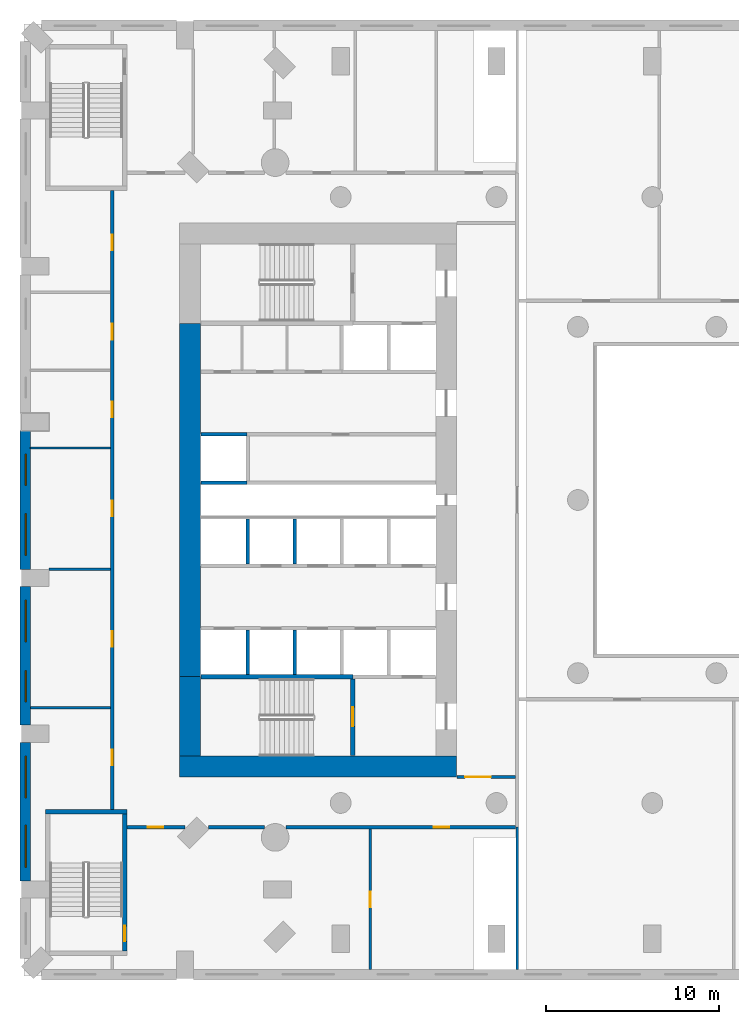
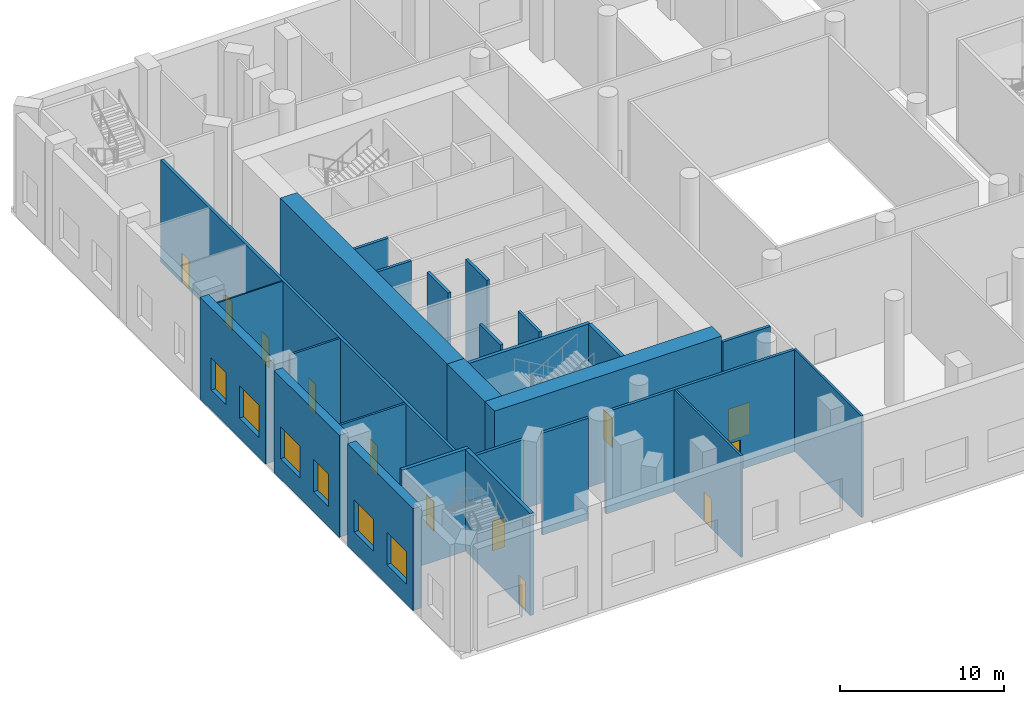
# One storey, part 3 of 18: 26 walls, 12 doors, 6 windows, 18 openings.
"""IFC4 building model written with IfcOpenShell, lengths in metres."""

from ifc_helpers import new_model, si_unit, direction, frame, frame_2d, origin, place, context, subcontext, project, spatial, rectangle, extrude, material, layer, layer_set, type_object, element, fill, save


model = new_model("IFC4")

# Units and contexts
model_context = context("Model", 3, precision=1e-05, world=origin(), true_north=direction((0.0, 1.0)))
body_context = subcontext(model_context, "Body", "Model", "MODEL_VIEW")
ifc_project = project(units=[si_unit("LENGTHUNIT", "METRE"), si_unit("AREAUNIT", "SQUARE_METRE"), si_unit("VOLUMEUNIT", "CUBIC_METRE"), si_unit("PLANEANGLEUNIT", "RADIAN"), si_unit("MASSUNIT", "GRAM", prefix="KILO")], contexts=[model_context])

# Site, building, storey
site_placement = place(None, origin())
site = spatial("IfcSite", under=ifc_project, at=site_placement, CompositionType="ELEMENT")
building_placement = place(site_placement, origin())
building = spatial("IfcBuilding", under=site, at=building_placement, Name="Cypress Arch Tower", CompositionType="ELEMENT")
storey_placement = place(building_placement, frame((0.0, 0.0, 36.0)))
storey = spatial("IfcBuildingStorey", under=building, at=storey_placement, Name="L04", CompositionType="ELEMENT", Elevation=36.0)

# Wall, openings, windows
ifc_material_1 = material(Name="Brick (red buff blend) on blockwork backing", Category="masonry")
ifc_layer_1 = layer(ifc_material_1, 0.60009765625)
ifc_layer_set_1 = layer_set([ifc_layer_1], Name="Brick base wall BW600")
wall_type_1 = type_object("IfcWallType", Name="Brick base wall BW600", PredefinedType="ELEMENTEDWALL", material=ifc_layer_set_1)
wall_1_placement = place(storey_placement, frame((-38.925048828125, 4.0, 0.0), z_axis=(0.0, 0.0, 1.0), x_axis=(0.0, -1.0, 0.0)))
wall_1 = element("IfcWall", 1, at=wall_1_placement, inside=storey, type_object=wall_type_1, Name="Brick wall L04 P04.3", PredefinedType="ELEMENTEDWALL", context=body_context, shape_type="SweptSolid", body=[
    extrude(rectangle(XDim=8.0, YDim=0.60009765625, at=frame_2d((4.0, 0.0))), origin(), (0.0, 0.0, 1.0), 7.60009765625),
])
opening_1_placement = place(wall_1_placement, frame((4.800048828125, 0.0, 1.5)))
opening_1 = element("IfcOpeningElement", 2, at=opening_1_placement, cuts=wall_1, Name="Opening W240P", PredefinedType="OPENING", context=body_context, shape_type="SweptSolid", body=[
    extrude(rectangle(XDim=2.39990234375, YDim=2.39990234375, at=frame_2d((1.199951171875, 1.199951171875))), frame((0.0, 0.31005859375, 0.0), z_axis=(0.0, -1.0, 0.0), x_axis=(1.0, 0.0, 0.0)), (0.0, 0.0, 1.0), 0.6201171875),
])
opening_2_placement = place(wall_1_placement, frame((1.35009765625, 0.0, 1.5)))
opening_2 = element("IfcOpeningElement", 3, at=opening_2_placement, cuts=wall_1, Name="Opening W180P", PredefinedType="OPENING", context=body_context, shape_type="SweptSolid", body=[
    extrude(rectangle(XDim=1.800048828125, YDim=2.39990234375, at=frame_2d((0.89990234375, 1.199951171875))), frame((0.0, 0.31005859375, 0.0), z_axis=(0.0, -1.0, 0.0), x_axis=(1.0, 0.0, 0.0)), (0.0, 0.0, 1.0), 0.6201171875),
])
ifc_material_2 = material(Name="Anodised aluminium, bronze finish, clear low-emissivity double glazing", Category="aluminium")
window_type_1 = type_object("IfcWindowType", Name="Window Podium 1800x2400", PartitioningType="SINGLE_PANEL", PredefinedType="WINDOW", material=ifc_material_2)
window_1_placement = place(opening_2_placement, origin())
window_1 = element("IfcWindow", 4, at=window_1_placement, inside=storey, type_object=window_type_1, Name="Window L04 P04.3.1", OverallHeight=2.39990234375, OverallWidth=1.800048828125, PartitioningType="SINGLE_PANEL", PredefinedType="WINDOW", context=body_context, shape_type="SweptSolid", body=[
    extrude(rectangle(XDim=1.800048828125, YDim=2.39990234375, at=frame_2d((0.89990234375, 1.199951171875))), frame((0.0, 0.06005859375, 0.0), z_axis=(0.0, -1.0, 0.0), x_axis=(1.0, 0.0, 0.0)), (0.0, 0.0, 1.0), 0.06005859375),
])
fill(opening_2, window_1)
ifc_material_3 = material(Name="Anodised aluminium, bronze finish, clear low-emissivity double glazing", Category="aluminium")
window_type_2 = type_object("IfcWindowType", Name="Window Podium 2400x2400", PartitioningType="SINGLE_PANEL", PredefinedType="WINDOW", material=ifc_material_3)
window_2_placement = place(opening_1_placement, origin())
window_2 = element("IfcWindow", 5, at=window_2_placement, inside=storey, type_object=window_type_2, Name="Window L04 P04.3.2", OverallHeight=2.39990234375, OverallWidth=2.39990234375, PartitioningType="SINGLE_PANEL", PredefinedType="WINDOW", context=body_context, shape_type="SweptSolid", body=[
    extrude(rectangle(XDim=2.39990234375, YDim=2.39990234375, at=frame_2d((1.199951171875, 1.199951171875))), frame((0.0, 0.06005859375, 0.0), z_axis=(0.0, -1.0, 0.0), x_axis=(1.0, 0.0, 0.0)), (0.0, 0.0, 1.0), 0.06005859375),
])
fill(opening_1, window_2)

wall_2_placement = place(storey_placement, frame((-38.925048828125, -5.0, 0.0), z_axis=(0.0, 0.0, 1.0), x_axis=(0.0, -1.0, 0.0)))
wall_2 = element("IfcWall", 6, at=wall_2_placement, inside=storey, type_object=wall_type_1, Name="Brick wall L04 P04.4", PredefinedType="ELEMENTEDWALL", context=body_context, shape_type="SweptSolid", body=[
    extrude(rectangle(XDim=8.0, YDim=0.60009765625, at=frame_2d((4.0, 0.0))), origin(), (0.0, 0.0, 1.0), 7.60009765625),
])
opening_3_placement = place(wall_2_placement, frame((0.800048828125, 0.0, 1.5)))
opening_3 = element("IfcOpeningElement", 7, at=opening_3_placement, cuts=wall_2, Name="Opening W240P", PredefinedType="OPENING", context=body_context, shape_type="SweptSolid", body=[
    extrude(rectangle(XDim=2.39990234375, YDim=2.39990234375, at=frame_2d((1.199951171875, 1.199951171875))), frame((0.0, 0.31005859375, 0.0), z_axis=(0.0, -1.0, 0.0), x_axis=(1.0, 0.0, 0.0)), (0.0, 0.0, 1.0), 0.6201171875),
])
opening_4_placement = place(wall_2_placement, frame((4.85009765625, 0.0, 1.5)))
opening_4 = element("IfcOpeningElement", 8, at=opening_4_placement, cuts=wall_2, Name="Opening W180P", PredefinedType="OPENING", context=body_context, shape_type="SweptSolid", body=[
    extrude(rectangle(XDim=1.800048828125, YDim=2.39990234375, at=frame_2d((0.89990234375, 1.199951171875))), frame((0.0, 0.31005859375, 0.0), z_axis=(0.0, -1.0, 0.0), x_axis=(1.0, 0.0, 0.0)), (0.0, 0.0, 1.0), 0.6201171875),
])
window_3_placement = place(opening_4_placement, origin())
window_3 = element("IfcWindow", 9, at=window_3_placement, inside=storey, type_object=window_type_1, Name="Window L04 P04.4.2", OverallHeight=2.39990234375, OverallWidth=1.800048828125, PartitioningType="SINGLE_PANEL", PredefinedType="WINDOW", context=body_context, shape_type="SweptSolid", body=[
    extrude(rectangle(XDim=1.800048828125, YDim=2.39990234375, at=frame_2d((0.89990234375, 1.199951171875))), frame((0.0, 0.06005859375, 0.0), z_axis=(0.0, -1.0, 0.0), x_axis=(1.0, 0.0, 0.0)), (0.0, 0.0, 1.0), 0.06005859375),
])
fill(opening_4, window_3)
window_4_placement = place(opening_3_placement, origin())
window_4 = element("IfcWindow", 10, at=window_4_placement, inside=storey, type_object=window_type_2, Name="Window L04 P04.4.1", OverallHeight=2.39990234375, OverallWidth=2.39990234375, PartitioningType="SINGLE_PANEL", PredefinedType="WINDOW", context=body_context, shape_type="SweptSolid", body=[
    extrude(rectangle(XDim=2.39990234375, YDim=2.39990234375, at=frame_2d((1.199951171875, 1.199951171875))), frame((0.0, 0.06005859375, 0.0), z_axis=(0.0, -1.0, 0.0), x_axis=(1.0, 0.0, 0.0)), (0.0, 0.0, 1.0), 0.06005859375),
])
fill(opening_3, window_4)

wall_3_placement = place(storey_placement, frame((-38.925048828125, -14.0, 0.0), z_axis=(0.0, 0.0, 1.0), x_axis=(0.0, -1.0, 0.0)))
wall_3 = element("IfcWall", 11, at=wall_3_placement, inside=storey, type_object=wall_type_1, Name="Brick wall L04 P04.5", PredefinedType="ELEMENTEDWALL", context=body_context, shape_type="SweptSolid", body=[
    extrude(rectangle(XDim=8.0, YDim=0.60009765625, at=frame_2d((4.0, 0.0))), origin(), (0.0, 0.0, 1.0), 7.60009765625),
])
opening_5_placement = place(wall_3_placement, frame((0.800048828125, 0.0, 1.5)))
opening_5 = element("IfcOpeningElement", 12, at=opening_5_placement, cuts=wall_3, Name="Opening W240P", PredefinedType="OPENING", context=body_context, shape_type="SweptSolid", body=[
    extrude(rectangle(XDim=2.39990234375, YDim=2.39990234375, at=frame_2d((1.199951171875, 1.199951171875))), frame((0.0, 0.31005859375, 0.0), z_axis=(0.0, -1.0, 0.0), x_axis=(1.0, 0.0, 0.0)), (0.0, 0.0, 1.0), 0.6201171875),
])
opening_6_placement = place(wall_3_placement, frame((4.800048828125, 0.0, 1.5)))
opening_6 = element("IfcOpeningElement", 13, at=opening_6_placement, cuts=wall_3, Name="Opening W240P", PredefinedType="OPENING", context=body_context, shape_type="SweptSolid", body=[
    extrude(rectangle(XDim=2.39990234375, YDim=2.39990234375, at=frame_2d((1.199951171875, 1.199951171875))), frame((0.0, 0.31005859375, 0.0), z_axis=(0.0, -1.0, 0.0), x_axis=(1.0, 0.0, 0.0)), (0.0, 0.0, 1.0), 0.6201171875),
])
window_5_placement = place(opening_5_placement, origin())
window_5 = element("IfcWindow", 14, at=window_5_placement, inside=storey, type_object=window_type_2, Name="Window L04 P04.5.1", OverallHeight=2.39990234375, OverallWidth=2.39990234375, PartitioningType="SINGLE_PANEL", PredefinedType="WINDOW", context=body_context, shape_type="SweptSolid", body=[
    extrude(rectangle(XDim=2.39990234375, YDim=2.39990234375, at=frame_2d((1.199951171875, 1.199951171875))), frame((0.0, 0.06005859375, 0.0), z_axis=(0.0, -1.0, 0.0), x_axis=(1.0, 0.0, 0.0)), (0.0, 0.0, 1.0), 0.06005859375),
])
fill(opening_5, window_5)
window_6_placement = place(opening_6_placement, origin())
window_6 = element("IfcWindow", 15, at=window_6_placement, inside=storey, type_object=window_type_2, Name="Window L04 P04.5.2", OverallHeight=2.39990234375, OverallWidth=2.39990234375, PartitioningType="SINGLE_PANEL", PredefinedType="WINDOW", context=body_context, shape_type="SweptSolid", body=[
    extrude(rectangle(XDim=2.39990234375, YDim=2.39990234375, at=frame_2d((1.199951171875, 1.199951171875))), frame((0.0, 0.06005859375, 0.0), z_axis=(0.0, -1.0, 0.0), x_axis=(1.0, 0.0, 0.0)), (0.0, 0.0, 1.0), 0.06005859375),
])
fill(opening_6, window_6)

# Walls
ifc_material_4 = material(Name="Concrete C80/95", Category="concrete")
ifc_layer_2 = layer(ifc_material_4, 1.199951171875)
ifc_layer_set_2 = layer_set([ifc_layer_2], Name="Core wall CW1200 C80/95")
wall_type_2 = type_object("IfcWallType", Name="Core wall CW1200 C80/95", PredefinedType="SHEAR", material=ifc_layer_set_2)
wall_4_placement = place(storey_placement, frame((-30.0, -15.39990234375, 0.0), z_axis=(0.0, 0.0, 1.0), x_axis=(1.0, 0.0, 0.0)))
element("IfcWall", 16, at=wall_4_placement, inside=storey, type_object=wall_type_2, Name="Core wall", PredefinedType="SHEAR", context=body_context, shape_type="SweptSolid", body=[
    extrude(rectangle(XDim=16.0, YDim=1.199951171875, at=frame_2d((8.0, 0.0))), origin(), (0.0, 0.0, 1.0), 8.0),
])
wall_5_placement = place(storey_placement, frame((-29.39990234375, -10.199951171875, 0.0), z_axis=(0.0, 0.0, 1.0), x_axis=(0.0, 1.0, 0.0)))
element("IfcWall", 17, at=wall_5_placement, inside=storey, type_object=wall_type_2, Name="Core wall", PredefinedType="SHEAR", context=body_context, shape_type="SweptSolid", body=[
    extrude(rectangle(XDim=20.39990234375, YDim=1.199951171875, at=frame_2d((10.199951171875, 0.0))), origin(), (0.0, 0.0, 1.0), 8.0),
])
wall_6_placement = place(storey_placement, frame((-29.39990234375, -14.800048828125, 0.0), z_axis=(0.0, 0.0, 1.0), x_axis=(0.0, 1.0, 0.0)))
element("IfcWall", 18, at=wall_6_placement, inside=storey, type_object=wall_type_2, Name="Core wall", PredefinedType="SHEAR", context=body_context, shape_type="SweptSolid", body=[
    extrude(rectangle(XDim=4.60009765625, YDim=1.199951171875, at=frame_2d((2.300048828125, 0.0))), origin(), (0.0, 0.0, 1.0), 8.0),
])

# Wall, openings, doors
ifc_material_5 = material(Name="Concrete blockwork, plastered, rated", Category="masonry")
ifc_layer_3 = layer(ifc_material_5, 0.199951171875)
ifc_layer_set_3 = layer_set([ifc_layer_3], Name="Corridor wall FW200")
wall_type_3 = type_object("IfcWallType", Name="Corridor wall FW200", PredefinedType="PARTITIONING", material=ifc_layer_set_3)
wall_7_placement = place(storey_placement, frame((-33.89990234375, -17.8798828125, 0.0), z_axis=(0.0, 0.0, 1.0), x_axis=(0.0, 1.0, 0.0)))
wall_7 = element("IfcWall", 19, at=wall_7_placement, inside=storey, type_object=wall_type_3, Name="Corridor wall", PredefinedType="PARTITIONING", context=body_context, shape_type="SweptSolid", body=[
    extrude(rectangle(XDim=35.759765625, YDim=0.199951171875, at=frame_2d((17.8798828125, 0.0))), origin(), (0.0, 0.0, 1.0), 7.597900390625),
])
opening_7_placement = place(wall_7_placement, frame((2.550048828125, 0.0, 0.0)))
opening_7 = element("IfcOpeningElement", 20, at=opening_7_placement, cuts=wall_7, Name="Opening D05", PredefinedType="OPENING", context=body_context, shape_type="SweptSolid", body=[
    extrude(rectangle(XDim=0.89990234375, YDim=2.199951171875, at=frame_2d((0.449951171875, 1.10009765625))), frame((0.0, 0.10986328125, 0.0), z_axis=(0.0, -1.0, 0.0), x_axis=(1.0, 0.0, 0.0)), (0.0, 0.0, 1.0), 0.219970703125),
])
opening_8_placement = place(wall_7_placement, frame((9.39990234375, 0.0, 0.0)))
opening_8 = element("IfcOpeningElement", 21, at=opening_8_placement, cuts=wall_7, Name="Opening D05", PredefinedType="OPENING", context=body_context, shape_type="SweptSolid", body=[
    extrude(rectangle(XDim=0.89990234375, YDim=2.199951171875, at=frame_2d((0.449951171875, 1.10009765625))), frame((0.0, 0.10986328125, 0.0), z_axis=(0.0, -1.0, 0.0), x_axis=(1.0, 0.0, 0.0)), (0.0, 0.0, 1.0), 0.219970703125),
])
opening_9_placement = place(wall_7_placement, frame((16.949951171875, 0.0, 0.0)))
opening_9 = element("IfcOpeningElement", 22, at=opening_9_placement, cuts=wall_7, Name="Opening D05", PredefinedType="OPENING", context=body_context, shape_type="SweptSolid", body=[
    extrude(rectangle(XDim=0.89990234375, YDim=2.199951171875, at=frame_2d((0.449951171875, 1.10009765625))), frame((0.0, 0.10986328125, 0.0), z_axis=(0.0, -1.0, 0.0), x_axis=(1.0, 0.0, 0.0)), (0.0, 0.0, 1.0), 0.219970703125),
])
opening_10_placement = place(wall_7_placement, frame((22.64990234375, 0.0, 0.0)))
opening_10 = element("IfcOpeningElement", 23, at=opening_10_placement, cuts=wall_7, Name="Opening D03", PredefinedType="OPENING", context=body_context, shape_type="SweptSolid", body=[
    extrude(rectangle(XDim=0.89990234375, YDim=2.199951171875, at=frame_2d((0.449951171875, 1.10009765625))), frame((0.0, 0.10986328125, 0.0), z_axis=(0.0, -1.0, 0.0), x_axis=(1.0, 0.0, 0.0)), (0.0, 0.0, 1.0), 0.219970703125),
])
opening_11_placement = place(wall_7_placement, frame((27.14990234375, 0.0, 0.0)))
opening_11 = element("IfcOpeningElement", 24, at=opening_11_placement, cuts=wall_7, Name="Opening D05", PredefinedType="OPENING", context=body_context, shape_type="SweptSolid", body=[
    extrude(rectangle(XDim=0.89990234375, YDim=2.199951171875, at=frame_2d((0.449951171875, 1.10009765625))), frame((0.0, 0.10986328125, 0.0), z_axis=(0.0, -1.0, 0.0), x_axis=(1.0, 0.0, 0.0)), (0.0, 0.0, 1.0), 0.219970703125),
])
opening_12_placement = place(wall_7_placement, frame((32.300048828125, 0.0, 0.0)))
opening_12 = element("IfcOpeningElement", 25, at=opening_12_placement, cuts=wall_7, Name="Opening D05", PredefinedType="OPENING", context=body_context, shape_type="SweptSolid", body=[
    extrude(rectangle(XDim=0.89990234375, YDim=2.199951171875, at=frame_2d((0.449951171875, 1.10009765625))), frame((0.0, 0.10986328125, 0.0), z_axis=(0.0, -1.0, 0.0), x_axis=(1.0, 0.0, 0.0)), (0.0, 0.0, 1.0), 0.219970703125),
])
ifc_material_6 = material(Name="Timber flush door, moisture resistant", Category="wood")
door_type_1 = type_object("IfcDoorType", Name="Bathroom door D03 900x2200", OperationType="SINGLE_SWING_LEFT", PredefinedType="DOOR", material=ifc_material_6)
door_1_placement = place(opening_10_placement, origin())
door_1 = element("IfcDoor", 26, at=door_1_placement, inside=storey, type_object=door_type_1, Name="Bathroom door", OperationType="SINGLE_SWING_LEFT", OverallHeight=2.199951171875, OverallWidth=0.89990234375, PredefinedType="DOOR", context=body_context, shape_type="SweptSolid", body=[
    extrude(rectangle(XDim=0.89990234375, YDim=2.199951171875, at=frame_2d((0.449951171875, 1.10009765625))), frame((0.0, 0.02490234375, 0.0), z_axis=(0.0, -1.0, 0.0), x_axis=(1.0, 0.0, 0.0)), (0.0, 0.0, 1.0), 0.050048828125),
])
fill(opening_10, door_1)
ifc_material_7 = material(Name="Timber flush door", Category="wood")
door_type_2 = type_object("IfcDoorType", Name="Service door D05 900x2200", OperationType="SINGLE_SWING_LEFT", PredefinedType="DOOR", material=ifc_material_7)
door_2_placement = place(opening_7_placement, origin())
door_2 = element("IfcDoor", 27, at=door_2_placement, inside=storey, type_object=door_type_2, Name="Service door", OperationType="SINGLE_SWING_RIGHT", OverallHeight=2.199951171875, OverallWidth=0.89990234375, PredefinedType="DOOR", context=body_context, shape_type="SweptSolid", body=[
    extrude(rectangle(XDim=0.89990234375, YDim=2.199951171875, at=frame_2d((0.449951171875, 1.10009765625))), frame((0.0, 0.02490234375, 0.0), z_axis=(0.0, -1.0, 0.0), x_axis=(1.0, 0.0, 0.0)), (0.0, 0.0, 1.0), 0.050048828125),
])
fill(opening_7, door_2)
door_3_placement = place(opening_8_placement, origin())
door_3 = element("IfcDoor", 28, at=door_3_placement, inside=storey, type_object=door_type_2, Name="Service door", OperationType="SINGLE_SWING_LEFT", OverallHeight=2.199951171875, OverallWidth=0.89990234375, PredefinedType="DOOR", context=body_context, shape_type="SweptSolid", body=[
    extrude(rectangle(XDim=0.89990234375, YDim=2.199951171875, at=frame_2d((0.449951171875, 1.10009765625))), frame((0.0, 0.02490234375, 0.0), z_axis=(0.0, -1.0, 0.0), x_axis=(1.0, 0.0, 0.0)), (0.0, 0.0, 1.0), 0.050048828125),
])
fill(opening_8, door_3)
door_4_placement = place(opening_9_placement, origin())
door_4 = element("IfcDoor", 29, at=door_4_placement, inside=storey, type_object=door_type_2, Name="Service door", OperationType="SINGLE_SWING_RIGHT", OverallHeight=2.199951171875, OverallWidth=0.89990234375, PredefinedType="DOOR", context=body_context, shape_type="SweptSolid", body=[
    extrude(rectangle(XDim=0.89990234375, YDim=2.199951171875, at=frame_2d((0.449951171875, 1.10009765625))), frame((0.0, 0.02490234375, 0.0), z_axis=(0.0, -1.0, 0.0), x_axis=(1.0, 0.0, 0.0)), (0.0, 0.0, 1.0), 0.050048828125),
])
fill(opening_9, door_4)
door_5_placement = place(opening_11_placement, origin())
door_5 = element("IfcDoor", 30, at=door_5_placement, inside=storey, type_object=door_type_2, Name="Service door", OperationType="SINGLE_SWING_LEFT", OverallHeight=2.199951171875, OverallWidth=0.89990234375, PredefinedType="DOOR", context=body_context, shape_type="SweptSolid", body=[
    extrude(rectangle(XDim=0.89990234375, YDim=2.199951171875, at=frame_2d((0.449951171875, 1.10009765625))), frame((0.0, 0.02490234375, 0.0), z_axis=(0.0, -1.0, 0.0), x_axis=(1.0, 0.0, 0.0)), (0.0, 0.0, 1.0), 0.050048828125),
])
fill(opening_11, door_5)
door_6_placement = place(opening_12_placement, origin())
door_6 = element("IfcDoor", 31, at=door_6_placement, inside=storey, type_object=door_type_2, Name="Service door", OperationType="SINGLE_SWING_LEFT", OverallHeight=2.199951171875, OverallWidth=0.89990234375, PredefinedType="DOOR", context=body_context, shape_type="SweptSolid", body=[
    extrude(rectangle(XDim=0.89990234375, YDim=2.199951171875, at=frame_2d((0.449951171875, 1.10009765625))), frame((0.0, 0.02490234375, 0.0), z_axis=(0.0, -1.0, 0.0), x_axis=(1.0, 0.0, 0.0)), (0.0, 0.0, 1.0), 0.050048828125),
])
fill(opening_12, door_6)

# Wall, opening, door
wall_8_placement = place(storey_placement, frame((-33.050048828125, -18.89990234375, 0.0), z_axis=(0.0, 0.0, 1.0), x_axis=(1.0, 0.0, 0.0)))
wall_8 = element("IfcWall", 32, at=wall_8_placement, inside=storey, type_object=wall_type_3, Name="Corridor wall", PredefinedType="PARTITIONING", context=body_context, shape_type="SweptSolid", body=[
    extrude(rectangle(XDim=3.363037109375, YDim=0.199951171875, at=frame_2d((1.681640625, 0.0))), origin(), (0.0, 0.0, 1.0), 7.597900390625),
])
opening_13_placement = place(wall_8_placement, frame((1.199951171875, 0.0, 0.0)))
opening_13 = element("IfcOpeningElement", 33, at=opening_13_placement, cuts=wall_8, Name="Opening D05", PredefinedType="OPENING", context=body_context, shape_type="SweptSolid", body=[
    extrude(rectangle(XDim=0.89990234375, YDim=2.199951171875, at=frame_2d((0.449951171875, 1.10009765625))), frame((0.0, 0.10986328125, 0.0), z_axis=(0.0, -1.0, 0.0), x_axis=(1.0, 0.0, 0.0)), (0.0, 0.0, 1.0), 0.219970703125),
])
door_7_placement = place(opening_13_placement, origin())
door_7 = element("IfcDoor", 34, at=door_7_placement, inside=storey, type_object=door_type_2, Name="Service door", OperationType="SINGLE_SWING_LEFT", OverallHeight=2.199951171875, OverallWidth=0.89990234375, PredefinedType="DOOR", context=body_context, shape_type="SweptSolid", body=[
    extrude(rectangle(XDim=0.89990234375, YDim=2.199951171875, at=frame_2d((0.449951171875, 1.10009765625))), frame((0.0, 0.02490234375, 0.0), z_axis=(0.0, -1.0, 0.0), x_axis=(1.0, 0.0, 0.0)), (0.0, 0.0, 1.0), 0.050048828125),
])
fill(opening_13, door_7)

# Wall
wall_9_placement = place(storey_placement, frame((-28.35009765625, -18.89990234375, 0.0), z_axis=(0.0, 0.0, 1.0), x_axis=(1.0, 0.0, 0.0)))
element("IfcWall", 35, at=wall_9_placement, inside=storey, type_object=wall_type_3, Name="Corridor wall", PredefinedType="PARTITIONING", context=body_context, shape_type="SweptSolid", body=[
    extrude(rectangle(XDim=3.24365234375, YDim=0.199951171875, at=frame_2d((1.621826171875, 0.0))), origin(), (0.0, 0.0, 1.0), 7.597900390625),
])

# Wall, opening, door
wall_10_placement = place(storey_placement, frame((-23.869140625, -18.89990234375, 0.0), z_axis=(0.0, 0.0, 1.0), x_axis=(1.0, 0.0, 0.0)))
wall_10 = element("IfcWall", 36, at=wall_10_placement, inside=storey, type_object=wall_type_3, Name="Corridor wall", PredefinedType="PARTITIONING", context=body_context, shape_type="SweptSolid", body=[
    extrude(rectangle(XDim=13.26904296875, YDim=0.199951171875, at=frame_2d((6.634521484375, 0.0))), origin(), (0.0, 0.0, 1.0), 7.597900390625),
])
opening_14_placement = place(wall_10_placement, frame((8.550048828125, 0.0, 0.0)))
opening_14 = element("IfcOpeningElement", 37, at=opening_14_placement, cuts=wall_10, Name="Opening D05", PredefinedType="OPENING", context=body_context, shape_type="SweptSolid", body=[
    extrude(rectangle(XDim=0.89990234375, YDim=2.199951171875, at=frame_2d((0.449951171875, 1.10009765625))), frame((0.0, 0.10986328125, 0.0), z_axis=(0.0, -1.0, 0.0), x_axis=(1.0, 0.0, 0.0)), (0.0, 0.0, 1.0), 0.219970703125),
])
door_8_placement = place(opening_14_placement, origin())
door_8 = element("IfcDoor", 38, at=door_8_placement, inside=storey, type_object=door_type_2, Name="Service door", OperationType="SINGLE_SWING_LEFT", OverallHeight=2.199951171875, OverallWidth=0.89990234375, PredefinedType="DOOR", context=body_context, shape_type="SweptSolid", body=[
    extrude(rectangle(XDim=0.89990234375, YDim=2.199951171875, at=frame_2d((0.449951171875, 1.10009765625))), frame((0.0, 0.02490234375, 0.0), z_axis=(0.0, -1.0, 0.0), x_axis=(1.0, 0.0, 0.0)), (0.0, 0.0, 1.0), 0.050048828125),
])
fill(opening_14, door_8)

wall_11_placement = place(storey_placement, frame((-13.969970703125, -16.0, 0.0), z_axis=(0.0, 0.0, 1.0), x_axis=(1.0, 0.0, 0.0)))
wall_11 = element("IfcWall", 39, at=wall_11_placement, inside=storey, type_object=wall_type_3, Name="Corridor wall", PredefinedType="PARTITIONING", context=body_context, shape_type="SweptSolid", body=[
    extrude(rectangle(XDim=3.369873046875, YDim=0.199951171875, at=frame_2d((1.68505859375, 0.0))), origin(), (0.0, 0.0, 1.0), 7.597900390625),
])
opening_15_placement = place(wall_11_placement, frame((0.449951171875, 0.0, 0.0)))
opening_15 = element("IfcOpeningElement", 40, at=opening_15_placement, cuts=wall_11, Name="Opening D07", PredefinedType="OPENING", context=body_context, shape_type="SweptSolid", body=[
    extrude(rectangle(XDim=1.5, YDim=2.39990234375, at=frame_2d((0.75, 1.199951171875))), frame((0.0, 0.10986328125, 0.0), z_axis=(0.0, -1.0, 0.0), x_axis=(1.0, 0.0, 0.0)), (0.0, 0.0, 1.0), 0.219970703125),
])
ifc_material_8 = material(Name="Steel framed glazed door, fire resisting", Category="steel")
door_type_3 = type_object("IfcDoorType", Name="Lobby door D07 1500x2400", OperationType="DOUBLE_DOOR_SINGLE_SWING", PredefinedType="DOOR", material=ifc_material_8)
door_9_placement = place(opening_15_placement, origin())
door_9 = element("IfcDoor", 41, at=door_9_placement, inside=storey, type_object=door_type_3, Name="Lobby door", OperationType="DOUBLE_DOOR_SINGLE_SWING", OverallHeight=2.39990234375, OverallWidth=1.5, PredefinedType="DOOR", context=body_context, shape_type="SweptSolid", body=[
    extrude(rectangle(XDim=1.5, YDim=2.39990234375, at=frame_2d((0.75, 1.199951171875))), frame((0.0, 0.02490234375, 0.0), z_axis=(0.0, -1.0, 0.0), x_axis=(1.0, 0.0, 0.0)), (0.0, 0.0, 1.0), 0.050048828125),
])
fill(opening_15, door_9)

# Walls
ifc_material_9 = material(Name="Blockwork, plastered both sides", Category="masonry")
ifc_layer_4 = layer(ifc_material_9, 0.14990234375)
ifc_layer_set_4 = layer_set([ifc_layer_4], Name="Partition PW150")
wall_type_4 = type_object("IfcWallType", Name="Partition PW150", PredefinedType="PARTITIONING", material=ifc_layer_set_4)
wall_12_placement = place(storey_placement, frame((-38.625, -12.0, 0.0), z_axis=(0.0, 0.0, 1.0), x_axis=(1.0, 0.0, 0.0)))
element("IfcWall", 42, at=wall_12_placement, inside=storey, type_object=wall_type_4, Name="Partition", PredefinedType="PARTITIONING", context=body_context, shape_type="SweptSolid", body=[
    extrude(rectangle(XDim=4.625, YDim=0.14990234375, at=frame_2d((2.3125, 0.0))), origin(), (0.0, 0.0, 1.0), 7.597900390625),
])
wall_13_placement = place(storey_placement, frame((-37.550048828125, -4.0, 0.0), z_axis=(0.0, 0.0, 1.0), x_axis=(1.0, 0.0, 0.0)))
element("IfcWall", 43, at=wall_13_placement, inside=storey, type_object=wall_type_4, Name="Partition", PredefinedType="PARTITIONING", context=body_context, shape_type="SweptSolid", body=[
    extrude(rectangle(XDim=3.550048828125, YDim=0.14990234375, at=frame_2d((1.77490234375, 0.0))), origin(), (0.0, 0.0, 1.0), 7.597900390625),
])

# Wall, opening, door
wall_14_placement = place(storey_placement, frame((-19.0, -27.125, 0.0), z_axis=(0.0, 0.0, 1.0), x_axis=(0.0, 1.0, 0.0)))
wall_14 = element("IfcWall", 44, at=wall_14_placement, inside=storey, type_object=wall_type_4, Name="Partition", PredefinedType="PARTITIONING", context=body_context, shape_type="SweptSolid", body=[
    extrude(rectangle(XDim=8.125, YDim=0.14990234375, at=frame_2d((4.0625, 0.0))), origin(), (0.0, 0.0, 1.0), 7.597900390625),
])
opening_16_placement = place(wall_14_placement, frame((3.60009765625, 0.0, 0.0)))
opening_16 = element("IfcOpeningElement", 45, at=opening_16_placement, cuts=wall_14, Name="Opening D05", PredefinedType="OPENING", context=body_context, shape_type="SweptSolid", body=[
    extrude(rectangle(XDim=0.89990234375, YDim=2.199951171875, at=frame_2d((0.449951171875, 1.10009765625))), frame((0.0, 0.0849609375, 0.0), z_axis=(0.0, -1.0, 0.0), x_axis=(1.0, 0.0, 0.0)), (0.0, 0.0, 1.0), 0.169921875),
])
door_10_placement = place(opening_16_placement, origin())
door_10 = element("IfcDoor", 46, at=door_10_placement, inside=storey, type_object=door_type_2, Name="Service door", OperationType="SINGLE_SWING_LEFT", OverallHeight=2.199951171875, OverallWidth=0.89990234375, PredefinedType="DOOR", context=body_context, shape_type="SweptSolid", body=[
    extrude(rectangle(XDim=0.89990234375, YDim=2.199951171875, at=frame_2d((0.449951171875, 1.10009765625))), frame((0.0, 0.02490234375, 0.0), z_axis=(0.0, -1.0, 0.0), x_axis=(1.0, 0.0, 0.0)), (0.0, 0.0, 1.0), 0.050048828125),
])
fill(opening_16, door_10)

# Walls
wall_15_placement = place(storey_placement, frame((-10.5, -27.125, 0.0), z_axis=(0.0, 0.0, 1.0), x_axis=(0.0, 1.0, 0.0)))
element("IfcWall", 47, at=wall_15_placement, inside=storey, type_object=wall_type_4, Name="Partition", PredefinedType="PARTITIONING", context=body_context, shape_type="SweptSolid", body=[
    extrude(rectangle(XDim=8.22509765625, YDim=0.14990234375, at=frame_2d((4.112548828125, 0.0))), origin(), (0.0, 0.0, 1.0), 7.597900390625),
])
ifc_material_10 = material(Name="Concrete C50/60", Category="concrete")
ifc_layer_5 = layer(ifc_material_10, 0.199951171875)
ifc_layer_set_5 = layer_set([ifc_layer_5], Name="Shaft wall SH200")
wall_type_5 = type_object("IfcWallType", Name="Shaft wall SH200", PredefinedType="SHEAR", material=ifc_layer_set_5)
for number, where, z_axis, x_axis, name in (
    (48, (-28.77001953125, 1.0, 0.0), (0.0, 0.0, 1.0), (1.0, 0.0, 0.0), "Shaft wall"),
    (49, (-28.77001953125, 3.800048828125, 0.0), (0.0, 0.0, 1.0), (1.0, 0.0, 0.0), "Shaft wall"),
):
    element("IfcWall", number, at=place(storey_placement, frame(where, z_axis=z_axis, x_axis=x_axis)), inside=storey, type_object=wall_type_5, Name=name, PredefinedType="SHEAR", context=body_context, shape_type="SweptSolid", body=[
        extrude(rectangle(XDim=2.669921875, YDim=0.199951171875, at=frame_2d((1.3349609375, 0.0))), origin(), (0.0, 0.0, 1.0), 7.597900390625),
    ])
wall_16_placement = place(storey_placement, frame((-26.080078125, -10.074951171875, 0.0), z_axis=(0.0, 0.0, 1.0), x_axis=(0.0, 1.0, 0.0)))
element("IfcWall", 50, at=wall_16_placement, inside=storey, type_object=wall_type_5, Name="Shaft wall", PredefinedType="SHEAR", context=body_context, shape_type="SweptSolid", body=[
    extrude(rectangle(XDim=2.574951171875, YDim=0.199951171875, at=frame_2d((1.28759765625, 0.0))), origin(), (0.0, 0.0, 1.0), 8.0),
])
wall_17_placement = place(storey_placement, frame((-26.080078125, -3.699951171875, 0.0), z_axis=(0.0, 0.0, 1.0), x_axis=(0.0, 1.0, 0.0)))
element("IfcWall", 51, at=wall_17_placement, inside=storey, type_object=wall_type_5, Name="Shaft wall", PredefinedType="SHEAR", context=body_context, shape_type="SweptSolid", body=[
    extrude(rectangle(XDim=2.599853515625, YDim=0.199951171875, at=frame_2d((1.2998046875, 0.0))), origin(), (0.0, 0.0, 1.0), 8.0),
])
wall_18_placement = place(storey_placement, frame((-23.360107421875, -10.074951171875, 0.0), z_axis=(0.0, 0.0, 1.0), x_axis=(0.0, 1.0, 0.0)))
element("IfcWall", 52, at=wall_18_placement, inside=storey, type_object=wall_type_5, Name="Shaft wall", PredefinedType="SHEAR", context=body_context, shape_type="SweptSolid", body=[
    extrude(rectangle(XDim=2.574951171875, YDim=0.199951171875, at=frame_2d((1.28759765625, 0.0))), origin(), (0.0, 0.0, 1.0), 8.0),
])
wall_19_placement = place(storey_placement, frame((-23.360107421875, -3.699951171875, 0.0), z_axis=(0.0, 0.0, 1.0), x_axis=(0.0, 1.0, 0.0)))
element("IfcWall", 53, at=wall_19_placement, inside=storey, type_object=wall_type_5, Name="Shaft wall", PredefinedType="SHEAR", context=body_context, shape_type="SweptSolid", body=[
    extrude(rectangle(XDim=2.599853515625, YDim=0.199951171875, at=frame_2d((1.2998046875, 0.0))), origin(), (0.0, 0.0, 1.0), 8.0),
])
ifc_material_11 = material(Name="Concrete C50/60", Category="concrete")
ifc_layer_6 = layer(ifc_material_11, 0.25)
ifc_layer_set_6 = layer_set([ifc_layer_6], Name="Stair enclosure wall SW250")
wall_type_6 = type_object("IfcWallType", Name="Stair enclosure wall SW250", PredefinedType="SHEAR", material=ifc_layer_set_6)
wall_20_placement = place(storey_placement, frame((-37.75, -18.0048828125, 0.0), z_axis=(0.0, 0.0, 1.0), x_axis=(1.0, 0.0, 0.0)))
element("IfcWall", 54, at=wall_20_placement, inside=storey, type_object=wall_type_6, Name="Stair enclosure wall", PredefinedType="SHEAR", context=body_context, shape_type="SweptSolid", body=[
    extrude(rectangle(XDim=4.699951171875, YDim=0.25, at=frame_2d((2.35009765625, 0.0))), origin(), (0.0, 0.0, 1.0), 7.60009765625),
])

# Wall, opening, door
wall_21_placement = place(storey_placement, frame((-33.175048828125, -26.050048828125, 0.0), z_axis=(0.0, 0.0, 1.0), x_axis=(0.0, 1.0, 0.0)))
wall_21 = element("IfcWall", 55, at=wall_21_placement, inside=storey, type_object=wall_type_6, Name="Stair enclosure wall", PredefinedType="SHEAR", context=body_context, shape_type="SweptSolid", body=[
    extrude(rectangle(XDim=7.920166015625, YDim=0.25, at=frame_2d((3.9599609375, 0.0))), origin(), (0.0, 0.0, 1.0), 7.60009765625),
])
opening_17_placement = place(wall_21_placement, frame((0.550048828125, 0.0, 0.0)))
opening_17 = element("IfcOpeningElement", 56, at=opening_17_placement, cuts=wall_21, Name="Opening D15", PredefinedType="OPENING", context=body_context, shape_type="SweptSolid", body=[
    extrude(rectangle(XDim=0.89990234375, YDim=2.199951171875, at=frame_2d((0.449951171875, 1.10009765625))), frame((0.0, 0.135009765625, 0.0), z_axis=(0.0, -1.0, 0.0), x_axis=(1.0, 0.0, 0.0)), (0.0, 0.0, 1.0), 0.27001953125),
])
ifc_material_12 = material(Name="Steel door, fire resisting, panic bar", Category="steel")
door_type_4 = type_object("IfcDoorType", Name="Stair door D15 900x2200", OperationType="SINGLE_SWING_LEFT", PredefinedType="DOOR", material=ifc_material_12)
door_11_placement = place(opening_17_placement, origin())
door_11 = element("IfcDoor", 57, at=door_11_placement, inside=storey, type_object=door_type_4, Name="Stair door", OperationType="SINGLE_SWING_LEFT", OverallHeight=2.199951171875, OverallWidth=0.89990234375, PredefinedType="DOOR", context=body_context, shape_type="SweptSolid", body=[
    extrude(rectangle(XDim=0.89990234375, YDim=2.199951171875, at=frame_2d((0.449951171875, 1.10009765625))), frame((0.0, 0.02490234375, 0.0), z_axis=(0.0, -1.0, 0.0), x_axis=(1.0, 0.0, 0.0)), (0.0, 0.0, 1.0), 0.050048828125),
])
fill(opening_17, door_11)

# Wall
wall_22_placement = place(storey_placement, frame((-28.77001953125, -10.199951171875, 0.0), z_axis=(0.0, 0.0, 1.0), x_axis=(1.0, 0.0, 0.0)))
element("IfcWall", 58, at=wall_22_placement, inside=storey, type_object=wall_type_6, Name="Stair enclosure wall", PredefinedType="SHEAR", context=body_context, shape_type="SweptSolid", body=[
    extrude(rectangle(XDim=8.7900390625, YDim=0.25, at=frame_2d((4.39501953125, 0.0))), origin(), (0.0, 0.0, 1.0), 7.597900390625),
])

# Wall, opening, door
wall_23_placement = place(storey_placement, frame((-20.0, -14.77001953125, 0.0), z_axis=(0.0, 0.0, 1.0), x_axis=(0.0, 1.0, 0.0)))
wall_23 = element("IfcWall", 59, at=wall_23_placement, inside=storey, type_object=wall_type_6, Name="Stair enclosure wall", PredefinedType="SHEAR", context=body_context, shape_type="SweptSolid", body=[
    extrude(rectangle(XDim=4.445068359375, YDim=0.25, at=frame_2d((2.22265625, 0.0))), origin(), (0.0, 0.0, 1.0), 7.597900390625),
])
opening_18_placement = place(wall_23_placement, frame((1.699951171875, 0.0, 0.0)))
opening_18 = element("IfcOpeningElement", 60, at=opening_18_placement, cuts=wall_23, Name="Opening D06", PredefinedType="OPENING", context=body_context, shape_type="SweptSolid", body=[
    extrude(rectangle(XDim=1.10009765625, YDim=2.199951171875, at=frame_2d((0.550048828125, 1.10009765625))), frame((0.0, 0.135009765625, 0.0), z_axis=(0.0, -1.0, 0.0), x_axis=(1.0, 0.0, 0.0)), (0.0, 0.0, 1.0), 0.27001953125),
])
ifc_material_13 = material(Name="Steel door, fire resisting, panic bar", Category="steel")
door_type_5 = type_object("IfcDoorType", Name="Stair door D06 1100x2200", OperationType="SINGLE_SWING_LEFT", PredefinedType="DOOR", material=ifc_material_13)
door_12_placement = place(opening_18_placement, origin())
door_12 = element("IfcDoor", 61, at=door_12_placement, inside=storey, type_object=door_type_5, Name="Stair door", OperationType="SINGLE_SWING_RIGHT", OverallHeight=2.199951171875, OverallWidth=1.10009765625, PredefinedType="DOOR", context=body_context, shape_type="SweptSolid", body=[
    extrude(rectangle(XDim=1.10009765625, YDim=2.199951171875, at=frame_2d((0.550048828125, 1.10009765625))), frame((0.0, 0.02490234375, 0.0), z_axis=(0.0, -1.0, 0.0), x_axis=(1.0, 0.0, 0.0)), (0.0, 0.0, 1.0), 0.050048828125),
])
fill(opening_18, door_12)

# Wall
ifc_material_14 = material(Name="Moisture resistant board on steel studs, tiled", Category="steel")
ifc_layer_7 = layer(ifc_material_14, 0.10009765625)
ifc_layer_set_7 = layer_set([ifc_layer_7], Name="Wet wall PW100")
wall_type_7 = type_object("IfcWallType", Name="Wet wall PW100", PredefinedType="PARTITIONING", material=ifc_layer_set_7)
wall_24_placement = place(storey_placement, frame((-38.625, 3.0, 0.0), z_axis=(0.0, 0.0, 1.0), x_axis=(1.0, 0.0, 0.0)))
element("IfcWall", 62, at=wall_24_placement, inside=storey, type_object=wall_type_7, Name="Wet wall", PredefinedType="PARTITIONING", context=body_context, shape_type="SweptSolid", body=[
    extrude(rectangle(XDim=4.625, YDim=0.10009765625, at=frame_2d((2.3125, 0.0))), origin(), (0.0, 0.0, 1.0), 7.597900390625),
])

save(model, "model.ifc")
